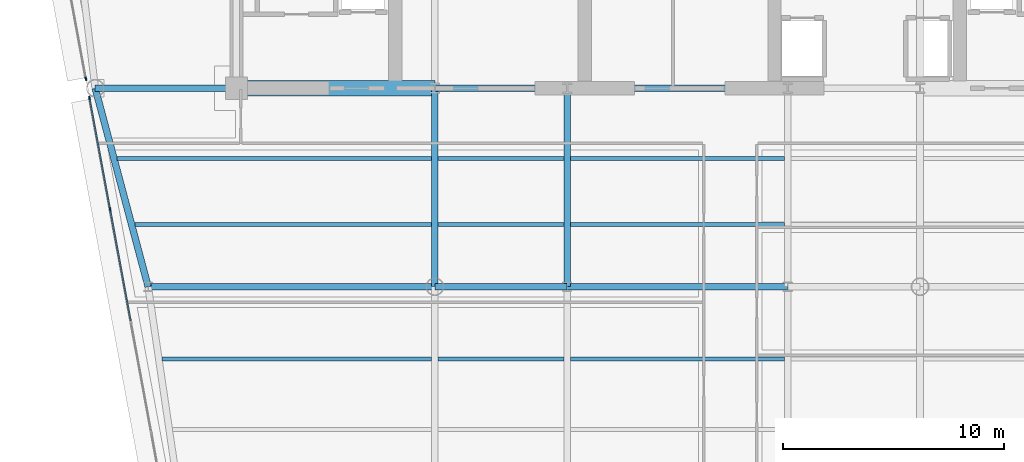
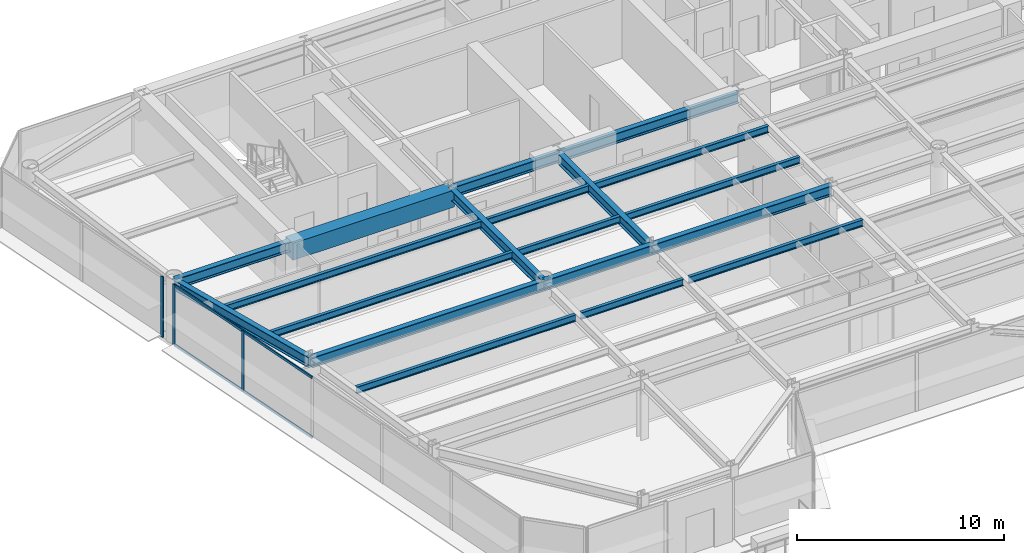
# One storey, part 4 of 16: 19 beams, 7 members, 2 elements without a shape of their own.
"""IFC4 building model written with IfcOpenShell, lengths in metres."""

from ifc_helpers import new_model, si_unit, direction, frame, origin, origin_2d, place, context, subcontext, project, spatial, rectangle, i_section, extrude, source, transform, mapped, material, layer, layer_set, material_profile, profile_set, type_object, element, aggregate, save


model = new_model("IFC4")

# Units and contexts
model_context = context("Model", 3, precision=1e-05, world=origin(), true_north=direction((0.0, 1.0)))
body_context = subcontext(model_context, "Body", "Model", "MODEL_VIEW")
ifc_project = project(units=[si_unit("LENGTHUNIT", "METRE"), si_unit("AREAUNIT", "SQUARE_METRE"), si_unit("VOLUMEUNIT", "CUBIC_METRE"), si_unit("PLANEANGLEUNIT", "RADIAN"), si_unit("MASSUNIT", "GRAM", prefix="KILO")], contexts=[model_context])

# Site, building, storey
site_placement = place(None, origin())
site = spatial("IfcSite", under=ifc_project, at=site_placement, CompositionType="ELEMENT")
building_placement = place(site_placement, origin())
building = spatial("IfcBuilding", under=site, at=building_placement, Name="Vaeldorn Concourse Tower", CompositionType="ELEMENT")
storey_placement = place(building_placement, frame((0.0, 0.0, 207.0)))
storey = spatial("IfcBuildingStorey", under=building, at=storey_placement, Name="L53", CompositionType="ELEMENT", Elevation=207.0)

# Beams
ifc_material_1 = material(Name="Concrete C50/60", Category="concrete")
ifc_material_profile_1 = material_profile(ifc_material_1, rectangle(XDim=0.699951171875, YDim=1.0, at=origin_2d()), Name="RC 700x1000")
ifc_profile_set_1 = profile_set([ifc_material_profile_1], Name="Concrete C50/60")
beam_type_1 = type_object("IfcBeamType", Name="BM-CB-RC700", PredefinedType="BEAM", material=ifc_profile_set_1)
shared_shape_1 = source(origin(), body_context, "Body", "SweptSolid", [
    extrude(rectangle(XDim=0.699951171875, YDim=1.0, at=origin_2d()), origin(), (0.0, 0.0, 1.0), 9.0),
])
beam_1_placement = place(storey_placement, frame((14.0, 36.5, 3.080078125), z_axis=(1.0, 0.0, 0.0), x_axis=(0.0, 1.0, 0.0)))
element("IfcBeam", 1, at=beam_1_placement, inside=storey, type_object=beam_type_1, Name="Core Coupling Beam L53-1", PredefinedType="BEAM", context=body_context, shape_type="MappedRepresentation", body=[
    mapped(shared_shape_1, transform((0.0, 0.0, 0.0), scale=1.0)),
])
ifc_material_2 = material(Name="Steel S355", Category="steel")
ifc_material_profile_2 = material_profile(ifc_material_2, i_section(OverallWidth=0.300048828125, OverallDepth=0.60009765625, WebThickness=0.015380859375, FlangeThickness=0.030029296875, FilletRadius=0.027099609375, at=origin_2d()), Name="HEB 600")
ifc_profile_set_2 = profile_set([ifc_material_profile_2], Name="Steel S355")
beam_type_2 = type_object("IfcBeamType", Name="BM-PG-HEB600", PredefinedType="BEAM", material=ifc_profile_set_2)
shared_shape_2 = source(origin(), body_context, "Body", "SweptSolid", [
    extrude(i_section(OverallWidth=0.300048828125, OverallDepth=0.60009765625, WebThickness=0.015380859375, FlangeThickness=0.030029296875, FilletRadius=0.027099609375, at=origin_2d()), origin(), (0.0, 0.0, 1.0), 6.0),
])
for number, where, z_axis, x_axis, name in (
    (2, (23.0, 36.5, 3.280029296875), (1.0, 0.0, 0.0), (0.0, 1.0, 0.0), "Beam BM-L53-C-FC2-C-FC3"),
    (3, (23.0, 27.5, 3.280029296875), (1.0, 0.0, 0.0), (0.0, 1.0, 0.0), "Beam BM-L53-C-TW1-C-TW2"),
):
    element("IfcBeam", number, at=place(storey_placement, frame(where, z_axis=z_axis, x_axis=x_axis)), inside=storey, type_object=beam_type_2, Name=name, PredefinedType="BEAM", context=body_context, shape_type="MappedRepresentation", body=[
        mapped(shared_shape_2, transform((0.0, 0.0, 0.0), scale=1.0)),
    ])
shared_shape_3 = source(origin(), body_context, "Body", "SweptSolid", [
    extrude(i_section(OverallWidth=0.300048828125, OverallDepth=0.60009765625, WebThickness=0.015380859375, FlangeThickness=0.030029296875, FilletRadius=0.027099609375, at=origin_2d()), origin(), (0.0, 0.0, 1.0), 10.0),
])
for number, where, z_axis, x_axis, name in (
    (4, (29.0, 36.5, 3.280029296875), (1.0, 0.0, 0.0), (0.0, 1.0, 0.0), "Beam BM-L53-C-FC3-C-FC4"),
    (5, (29.0, 27.5, 3.280029296875), (1.0, 0.0, 0.0), (0.0, 1.0, 0.0), "Beam BM-L53-C-TW2-C-TW3"),
):
    element("IfcBeam", number, at=place(storey_placement, frame(where, z_axis=z_axis, x_axis=x_axis)), inside=storey, type_object=beam_type_2, Name=name, PredefinedType="BEAM", context=body_context, shape_type="MappedRepresentation", body=[
        mapped(shared_shape_3, transform((0.0, 0.0, 0.0), scale=1.0)),
    ])
shared_shape_4 = source(origin(), body_context, "Body", "SweptSolid", [
    extrude(i_section(OverallWidth=0.300048828125, OverallDepth=0.60009765625, WebThickness=0.015380859375, FlangeThickness=0.030029296875, FilletRadius=0.027099609375, at=origin_2d()), origin(), (0.0, 0.0, 1.0), 9.0),
])
for number, where, z_axis, x_axis, name in (
    (6, (23.0, 27.5, 3.280029296875), (0.0, 1.0, 0.0), (-1.0, 0.0, 0.0), "Beam BM-L53-C-TW1-C-FC2"),
    (7, (29.0, 27.5, 3.280029296875), (0.0, 1.0, 0.0), (-1.0, 0.0, 0.0), "Beam BM-L53-C-TW2-C-FC3"),
):
    element("IfcBeam", number, at=place(storey_placement, frame(where, z_axis=z_axis, x_axis=x_axis)), inside=storey, type_object=beam_type_2, Name=name, PredefinedType="BEAM", context=body_context, shape_type="MappedRepresentation", body=[
        mapped(shared_shape_4, transform((0.0, 0.0, 0.0), scale=1.0)),
    ])
shared_shape_5 = source(origin(), body_context, "Body", "SweptSolid", [
    extrude(i_section(OverallWidth=0.300048828125, OverallDepth=0.60009765625, WebThickness=0.015380859375, FlangeThickness=0.030029296875, FilletRadius=0.027099609375, at=origin_2d()), origin(), (0.0, 0.0, 1.0), 6.39990234375),
])
beam_2_placement = place(storey_placement, frame((7.60009765625, 36.5, 3.280029296875), z_axis=(1.0, 0.0, 0.0), x_axis=(0.0, 1.0, 0.0)))
element("IfcBeam", 8, at=beam_2_placement, inside=storey, type_object=beam_type_2, Name="Beam BM-L53-C-NW2-C-FC1", PredefinedType="BEAM", context=body_context, shape_type="MappedRepresentation", body=[
    mapped(shared_shape_5, transform((0.0, 0.0, 0.0), scale=1.0)),
])
shared_shape_6 = source(origin(), body_context, "Body", "SweptSolid", [
    extrude(i_section(OverallWidth=0.300048828125, OverallDepth=0.60009765625, WebThickness=0.015380859375, FlangeThickness=0.030029296875, FilletRadius=0.027099609375, at=origin_2d()), origin(), (0.0, 0.0, 1.0), 9.314453125),
])
beam_3_placement = place(storey_placement, frame((7.60009765625, 36.5, 3.280029296875), z_axis=(0.257652862255, -0.966237549763, 0.0), x_axis=(0.966237549763, 0.257652862255, 0.0)))
element("IfcBeam", 9, at=beam_3_placement, inside=storey, type_object=beam_type_2, Name="Beam BM-L53-C-NW2-C-FLW1", PredefinedType="BEAM", context=body_context, shape_type="MappedRepresentation", body=[
    mapped(shared_shape_6, transform((0.0, 0.0, 0.0), scale=1.0)),
])
shared_shape_7 = source(origin(), body_context, "Body", "SweptSolid", [
    extrude(i_section(OverallWidth=0.300048828125, OverallDepth=0.60009765625, WebThickness=0.015380859375, FlangeThickness=0.030029296875, FilletRadius=0.027099609375, at=origin_2d()), origin(), (0.0, 0.0, 1.0), 13.0),
])
beam_4_placement = place(storey_placement, frame((10.0, 27.5, 3.280029296875), z_axis=(1.0, 0.0, 0.0), x_axis=(0.0, 1.0, 0.0)))
element("IfcBeam", 10, at=beam_4_placement, inside=storey, type_object=beam_type_2, Name="Beam BM-L53-C-FLW1-C-TW1", PredefinedType="BEAM", context=body_context, shape_type="MappedRepresentation", body=[
    mapped(shared_shape_7, transform((0.0, 0.0, 0.0), scale=1.0)),
])
ifc_material_profile_3 = material_profile(ifc_material_2, i_section(OverallWidth=0.179931640625, OverallDepth=0.39990234375, WebThickness=0.008544921875, FlangeThickness=0.013427734375, FilletRadius=0.02099609375, at=origin_2d()), Name="IPE 400")
ifc_profile_set_3 = profile_set([ifc_material_profile_3], Name="Steel S355")
beam_type_3 = type_object("IfcBeamType", Name="BM-JS-IPE400", PredefinedType="JOIST", material=ifc_profile_set_3)
shared_shape_8 = source(origin(), body_context, "Body", "SweptSolid", [
    extrude(i_section(OverallWidth=0.179931640625, OverallDepth=0.39990234375, WebThickness=0.008544921875, FlangeThickness=0.013427734375, FilletRadius=0.02099609375, at=origin_2d()), origin(), (0.0, 0.0, 1.0), 5.7001953125),
])
for number, where, z_axis, x_axis, name in (
    (11, (23.14990234375, 24.219970703125, 3.3798828125), (1.0, 0.0, 0.0), (0.0, 1.0, 0.0), "Beam JS-L53-W2-242"),
    (12, (23.14990234375, 30.320068359375, 3.3798828125), (1.0, 0.0, 0.0), (0.0, 1.0, 0.0), "Beam JS-L53-W2-303"),
    (13, (23.14990234375, 33.320068359375, 3.3798828125), (1.0, 0.0, 0.0), (0.0, 1.0, 0.0), "Beam JS-L53-W2-333"),
):
    element("IfcBeam", number, at=place(storey_placement, frame(where, z_axis=z_axis, x_axis=x_axis)), inside=storey, type_object=beam_type_3, Name=name, PredefinedType="JOIST", context=body_context, shape_type="MappedRepresentation", body=[
        mapped(shared_shape_8, transform((0.0, 0.0, 0.0), scale=1.0)),
    ])
shared_shape_9 = source(origin(), body_context, "Body", "SweptSolid", [
    extrude(i_section(OverallWidth=0.179931640625, OverallDepth=0.39990234375, WebThickness=0.008544921875, FlangeThickness=0.013427734375, FilletRadius=0.02099609375, at=origin_2d()), origin(), (0.0, 0.0, 1.0), 9.7001953125),
])
for number, where, z_axis, x_axis, name in (
    (14, (29.14990234375, 24.219970703125, 3.3798828125), (1.0, 0.0, 0.0), (0.0, 1.0, 0.0), "Beam JS-L53-C-242"),
    (15, (29.14990234375, 30.320068359375, 3.3798828125), (1.0, 0.0, 0.0), (0.0, 1.0, 0.0), "Beam JS-L53-C-303"),
    (16, (29.14990234375, 33.320068359375, 3.3798828125), (1.0, 0.0, 0.0), (0.0, 1.0, 0.0), "Beam JS-L53-C-333"),
):
    element("IfcBeam", number, at=place(storey_placement, frame(where, z_axis=z_axis, x_axis=x_axis)), inside=storey, type_object=beam_type_3, Name=name, PredefinedType="JOIST", context=body_context, shape_type="MappedRepresentation", body=[
        mapped(shared_shape_9, transform((0.0, 0.0, 0.0), scale=1.0)),
    ])
shared_shape_10 = source(origin(), body_context, "Body", "SweptSolid", [
    extrude(i_section(OverallWidth=0.179931640625, OverallDepth=0.39990234375, WebThickness=0.008544921875, FlangeThickness=0.013427734375, FilletRadius=0.02099609375, at=origin_2d()), origin(), (0.0, 0.0, 1.0), 12.216796875),
])
beam_5_placement = place(storey_placement, frame((10.63330078125, 24.219970703125, 3.3798828125), z_axis=(1.0, 0.0, 0.0), x_axis=(0.0, 1.0, 0.0)))
element("IfcBeam", 17, at=beam_5_placement, inside=storey, type_object=beam_type_3, Name="Beam JS-L53-W1-242", PredefinedType="JOIST", context=body_context, shape_type="MappedRepresentation", body=[
    mapped(shared_shape_10, transform((0.0, 0.0, 0.0), scale=1.0)),
])
shared_shape_11 = source(origin(), body_context, "Body", "SweptSolid", [
    extrude(i_section(OverallWidth=0.179931640625, OverallDepth=0.39990234375, WebThickness=0.008544921875, FlangeThickness=0.013427734375, FilletRadius=0.02099609375, at=origin_2d()), origin(), (0.0, 0.0, 1.0), 13.4521484375),
])
beam_6_placement = place(storey_placement, frame((9.39794921875, 30.320068359375, 3.3798828125), z_axis=(1.0, 0.0, 0.0), x_axis=(0.0, 1.0, 0.0)))
element("IfcBeam", 18, at=beam_6_placement, inside=storey, type_object=beam_type_3, Name="Beam JS-L53-W1-303", PredefinedType="JOIST", context=body_context, shape_type="MappedRepresentation", body=[
    mapped(shared_shape_11, transform((0.0, 0.0, 0.0), scale=1.0)),
])
shared_shape_12 = source(origin(), body_context, "Body", "SweptSolid", [
    extrude(i_section(OverallWidth=0.179931640625, OverallDepth=0.39990234375, WebThickness=0.008544921875, FlangeThickness=0.013427734375, FilletRadius=0.02099609375, at=origin_2d()), origin(), (0.0, 0.0, 1.0), 14.252197265625),
])
beam_7_placement = place(storey_placement, frame((8.597900390625, 33.320068359375, 3.3798828125), z_axis=(1.0, 0.0, 0.0), x_axis=(0.0, 1.0, 0.0)))
element("IfcBeam", 19, at=beam_7_placement, inside=storey, type_object=beam_type_3, Name="Beam JS-L53-W1-333", PredefinedType="JOIST", context=body_context, shape_type="MappedRepresentation", body=[
    mapped(shared_shape_12, transform((0.0, 0.0, 0.0), scale=1.0)),
])

# Curtain wall, member
ifc_material_3 = material(Name="Anodised Bronze Aluminium", Category="aluminium")
ifc_layer = layer(ifc_material_3, 0.2099609375)
ifc_layer_set = layer_set([ifc_layer], Name="Anodised Bronze Aluminium")
curtain_wall_type = type_object("IfcCurtainWallType", Name="CW-SYS-06", PredefinedType="NOTDEFINED", material=ifc_layer_set)
curtain_wall_1_placement = place(storey_placement, origin())
curtain_wall_1 = element("IfcCurtainWall", 20, at=curtain_wall_1_placement, inside=storey, type_object=curtain_wall_type, Name="Unitised Curtain Wall CW-L53-E11-1", PredefinedType="NOTDEFINED")
ifc_material_profile_4 = material_profile(ifc_material_3, rectangle(XDim=0.06494140625, YDim=0.169921875, at=origin_2d()), Name="CWM 65x170")
ifc_profile_set_4 = profile_set([ifc_material_profile_4], Name="Anodised Bronze Aluminium")
member_type_1 = type_object("IfcMemberType", Name="CWM-BRONZE-170", PredefinedType="MULLION", material=ifc_profile_set_4)
shared_shape_13 = source(origin(), body_context, "Body", "SweptSolid", [
    extrude(rectangle(XDim=0.06494140625, YDim=0.169921875, at=origin_2d()), origin(), (0.0, 0.0, 1.0), 3.580078125),
])
member_1_placement = place(storey_placement, frame((7.177490234375, 36.927490234375, 0.0), z_axis=(0.0, 0.0, 1.0), x_axis=(0.983319270992, 0.181887908602, 0.0)))
member_1 = element("IfcMember", 21, at=member_1_placement, type_object=member_type_1, Name="CW-06 mullion 3", PredefinedType="MULLION", context=body_context, shape_type="MappedRepresentation", body=[
    mapped(shared_shape_13, transform((0.0, 0.0, 0.0), scale=1.0)),
])
aggregate(curtain_wall_1, [member_1])

# Curtain wall, members
curtain_wall_2_placement = place(storey_placement, origin())
curtain_wall_2 = element("IfcCurtainWall", 22, at=curtain_wall_2_placement, inside=storey, type_object=curtain_wall_type, Name="Unitised Curtain Wall CW-L53-E11-2", PredefinedType="NOTDEFINED")
member_2_placement = place(storey_placement, frame((7.339599609375, 36.051513671875, 0.0), z_axis=(0.0, 0.0, 1.0), x_axis=(0.983319079021, 0.181888946432, 0.0)))
member_2 = element("IfcMember", 23, at=member_2_placement, type_object=member_type_1, Name="CW-06 mullion 1", PredefinedType="MULLION", context=body_context, shape_type="MappedRepresentation", body=[
    mapped(shared_shape_13, transform((0.0, 0.0, 0.0), scale=1.0)),
])
member_3_placement = place(storey_placement, frame((8.272705078125, 31.0068359375, 0.0), z_axis=(0.0, 0.0, 1.0), x_axis=(0.983319079021, 0.181888946432, 0.0)))
member_3 = element("IfcMember", 24, at=member_3_placement, type_object=member_type_1, Name="CW-06 mullion 2", PredefinedType="MULLION", context=body_context, shape_type="MappedRepresentation", body=[
    mapped(shared_shape_13, transform((0.0, 0.0, 0.0), scale=1.0)),
])
ifc_material_profile_5 = material_profile(ifc_material_3, rectangle(XDim=0.06494140625, YDim=0.14990234375, at=origin_2d()), Name="CWT 65x150")
ifc_profile_set_5 = profile_set([ifc_material_profile_5], Name="Anodised Bronze Aluminium")
member_type_2 = type_object("IfcMemberType", Name="CWT-BRONZE-150", PredefinedType="USERDEFINED", material=ifc_profile_set_5)
shared_shape_14 = source(origin(), body_context, "Body", "SweptSolid", [
    extrude(rectangle(XDim=0.06494140625, YDim=0.14990234375, at=origin_2d()), origin(), (0.0, 0.0, 1.0), 5.065185546875),
])
member_4_placement = place(storey_placement, frame((7.345458984375, 36.01953125, 0.032470703125), z_axis=(0.181904577794, -0.983316187489, 0.0), x_axis=(0.983316187489, 0.181904577794, 0.0)))
member_4 = element("IfcMember", 25, at=member_4_placement, type_object=member_type_2, Name="CW-06 transom 1.1", ObjectType="TRANSOM", PredefinedType="USERDEFINED", context=body_context, shape_type="MappedRepresentation", body=[
    mapped(shared_shape_14, transform((0.0, 0.0, 0.0), scale=1.0)),
])
member_5_placement = place(storey_placement, frame((7.345458984375, 36.01953125, 3.547607421875), z_axis=(0.181904577794, -0.983316187489, 0.0), x_axis=(0.983316187489, 0.181904577794, 0.0)))
member_5 = element("IfcMember", 26, at=member_5_placement, type_object=member_type_2, Name="CW-06 transom 1.2", ObjectType="TRANSOM", PredefinedType="USERDEFINED", context=body_context, shape_type="MappedRepresentation", body=[
    mapped(shared_shape_14, transform((0.0, 0.0, 0.0), scale=1.0)),
])
shared_shape_15 = source(origin(), body_context, "Body", "SweptSolid", [
    extrude(rectangle(XDim=0.06494140625, YDim=0.14990234375, at=origin_2d()), origin(), (0.0, 0.0, 1.0), 5.09765625),
])
member_6_placement = place(storey_placement, frame((8.278564453125, 30.974853515625, 0.032470703125), z_axis=(0.181893750584, -0.983318190363, 0.0), x_axis=(0.983318190363, 0.181893750584, 0.0)))
member_6 = element("IfcMember", 27, at=member_6_placement, type_object=member_type_2, Name="CW-06 transom 2.1", ObjectType="TRANSOM", PredefinedType="USERDEFINED", context=body_context, shape_type="MappedRepresentation", body=[
    mapped(shared_shape_15, transform((0.0, 0.0, 0.0), scale=1.0)),
])
member_7_placement = place(storey_placement, frame((8.278564453125, 30.974853515625, 3.547607421875), z_axis=(0.181893750584, -0.983318190363, 0.0), x_axis=(0.983318190363, 0.181893750584, 0.0)))
member_7 = element("IfcMember", 28, at=member_7_placement, type_object=member_type_2, Name="CW-06 transom 2.2", ObjectType="TRANSOM", PredefinedType="USERDEFINED", context=body_context, shape_type="MappedRepresentation", body=[
    mapped(shared_shape_15, transform((0.0, 0.0, 0.0), scale=1.0)),
])
aggregate(curtain_wall_2, [member_2, member_3, member_4, member_5, member_6, member_7])

save(model, "model.ifc")
